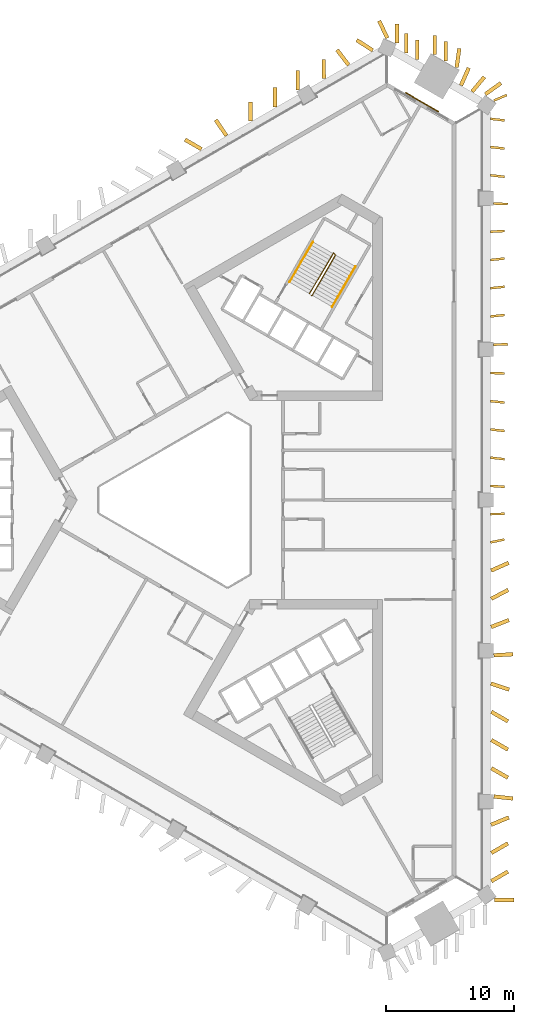
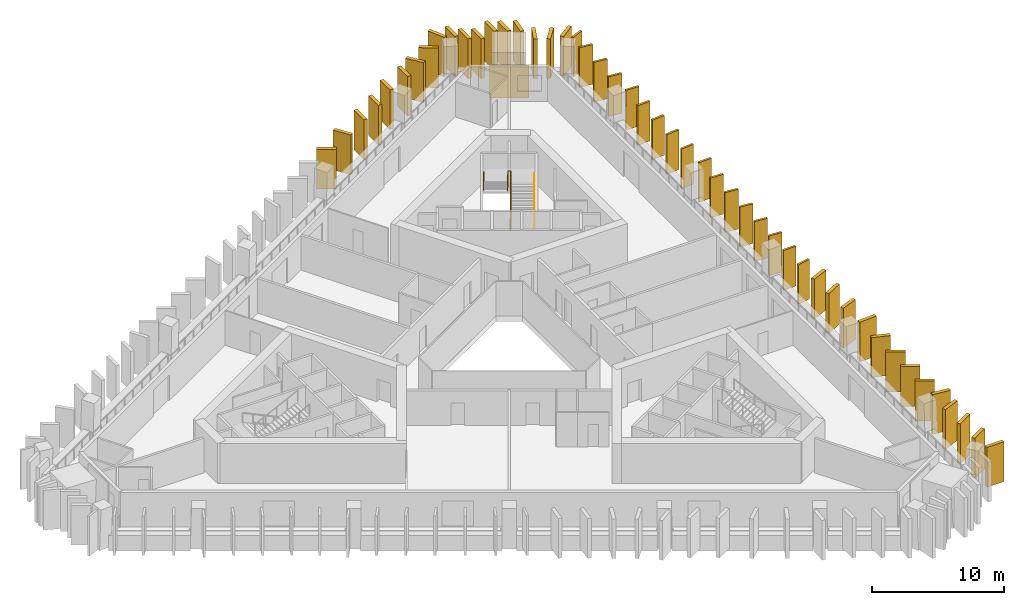
# One storey, part 11 of 11: 48 shading devices, 3 railings, 1 covering.
"""IFC4 building model written with IfcOpenShell, lengths in metres."""

from ifc_helpers import new_model, si_unit, direction, frame, frame_2d, origin, origin_2d, place, context, subcontext, project, spatial, rectangle, circle, extrude, material, layer, layer_set, type_object, element, save


model = new_model("IFC4")

# Units and contexts
model_context = context("Model", 3, precision=1e-05, world=origin(), true_north=direction((0.0, 1.0)))
body_context = subcontext(model_context, "Body", "Model", "MODEL_VIEW")
ifc_project = project(units=[si_unit("LENGTHUNIT", "METRE"), si_unit("AREAUNIT", "SQUARE_METRE"), si_unit("VOLUMEUNIT", "CUBIC_METRE"), si_unit("PLANEANGLEUNIT", "RADIAN"), si_unit("MASSUNIT", "GRAM", prefix="KILO")], contexts=[model_context])

# Site, building, storey
site_placement = place(None, origin())
site = spatial("IfcSite", under=ifc_project, at=site_placement, CompositionType="ELEMENT")
building_placement = place(site_placement, origin())
building = spatial("IfcBuilding", under=site, at=building_placement, Name="Jabali Bay Hotel Tower and Convention Centre", CompositionType="ELEMENT")
storey_placement = place(building_placement, frame((0.0, 0.0, 79.5)))
storey = spatial("IfcBuildingStorey", under=building, at=storey_placement, Name="L18", CompositionType="ELEMENT", Elevation=79.5)

# Shading devices
ifc_material_1 = material(Name="Precast concrete C60", Category="concrete")
ifc_layer_1 = layer(ifc_material_1, 0.179931640625)
ifc_layer_set_1 = layer_set([ifc_layer_1], Name="Precast concrete C60")
shading_device_type_1 = type_object("IfcShadingDeviceType", Name="Precast fin 3680 x 1100", PredefinedType="USERDEFINED", material=ifc_layer_set_1)
shading_device_1_placement = place(storey_placement, frame((98.361328125, 76.68408203125, 0.010009765625), z_axis=(0.0, 0.0, 1.0), x_axis=(0.979296848982, 0.202429448384, 0.0)))
element("IfcShadingDevice", 1, at=shading_device_1_placement, inside=storey, type_object=shading_device_type_1, Name="Fin L18 012", ObjectType="FIN", PredefinedType="USERDEFINED", context=body_context, shape_type="SweptSolid", body=[
    extrude(rectangle(XDim=1.099853515625, YDim=0.179931640625, at=frame_2d((0.5498046875, 0.0))), origin(), (0.0, 0.0, 1.0), 3.679931640625),
])
for number, where, z_axis, x_axis, name in (
    (2, (98.344970703125, 78.894775390625, 0.010009765625), (0.0, 0.0, 1.0), (0.999773026581, 0.021304819212, 0.0), "Fin L18 013"),
    (3, (98.34912109375, 81.105224609375, 0.010009765625), (0.0, 0.0, 1.0), (0.997645538105, -0.068581194944, 0.0), "Fin L18 014"),
    (4, (98.353271484375, 83.31591796875, 0.010009765625), (0.0, 0.0, 1.0), (0.993673547442, -0.112307083986, 0.0), "Fin L18 015"),
):
    element("IfcShadingDevice", number, at=place(storey_placement, frame(where, z_axis=z_axis, x_axis=x_axis)), inside=storey, type_object=shading_device_type_1, Name=name, ObjectType="FIN", PredefinedType="USERDEFINED", context=body_context, shape_type="SweptSolid", body=[
        extrude(rectangle(XDim=1.10009765625, YDim=0.179931640625, at=frame_2d((0.550048828125, 0.0))), origin(), (0.0, 0.0, 1.0), 3.679931640625),
    ])
for number, where, z_axis, x_axis, name in (
    (5, (98.35302734375, 85.5263671875, 0.010009765625), (0.0, 0.0, 1.0), (0.993945834363, -0.109871189819, 0.0), "Fin L18 016"),
    (6, (98.351806640625, 87.737060546875, 0.010009765625), (0.0, 0.0, 1.0), (0.995305974015, -0.096778190158, 0.0), "Fin L18 017"),
):
    element("IfcShadingDevice", number, at=place(storey_placement, frame(where, z_axis=z_axis, x_axis=x_axis)), inside=storey, type_object=shading_device_type_1, Name=name, ObjectType="FIN", PredefinedType="USERDEFINED", context=body_context, shape_type="SweptSolid", body=[
        extrude(rectangle(XDim=1.099853515625, YDim=0.179931640625, at=frame_2d((0.5498046875, 0.0))), origin(), (0.0, 0.0, 1.0), 3.679931640625),
    ])
shading_device_2_placement = place(storey_placement, frame((98.346435546875, 89.947509765625, 0.010009765625), z_axis=(0.0, 0.0, 1.0), x_axis=(0.999288131101, -0.037725734463, 0.0)))
element("IfcShadingDevice", 7, at=shading_device_2_placement, inside=storey, type_object=shading_device_type_1, Name="Fin L18 018", ObjectType="FIN", PredefinedType="USERDEFINED", context=body_context, shape_type="SweptSolid", body=[
    extrude(rectangle(XDim=1.10009765625, YDim=0.179931640625, at=frame_2d((0.550048828125, 0.0))), origin(), (0.0, 0.0, 1.0), 3.679931640625),
])
shading_device_3_placement = place(storey_placement, frame((98.60400390625, 92.158203125, 0.010009765625), z_axis=(0.0, 0.0, 1.0), x_axis=(0.999253944226, 0.038620654441, 0.0)))
element("IfcShadingDevice", 8, at=shading_device_3_placement, inside=storey, type_object=shading_device_type_1, Name="Fin L18 019", ObjectType="FIN", PredefinedType="USERDEFINED", context=body_context, shape_type="SweptSolid", body=[
    extrude(rectangle(XDim=1.099853515625, YDim=0.179931640625, at=frame_2d((0.5498046875, 0.0))), origin(), (0.0, 0.0, 1.0), 3.679931640625),
])
for number, where, z_axis, x_axis, name in (
    (9, (98.3525390625, 94.36865234375, 0.010009765625), (0.0, 0.0, 1.0), (0.994451817499, 0.105193073308, 0.0), "Fin L18 020"),
    (10, (98.3525390625, 96.579345703125, 0.010009765625), (0.0, 0.0, 1.0), (0.994451817499, 0.105193073308, 0.0), "Fin L18 021"),
    (11, (98.3525390625, 98.789794921875, 0.010009765625), (0.0, 0.0, 1.0), (0.994451817499, 0.105193073308, 0.0), "Fin L18 022"),
    (12, (98.347900390625, 101.00048828125, 0.010009765625), (0.0, 0.0, 1.0), (0.99848416118, 0.055039802617, 0.0), "Fin L18 023"),
    (13, (98.6044921875, 103.2109375, 0.010009765625), (0.0, 0.0, 1.0), (0.999072832584, -0.043052005669, 0.0), "Fin L18 024"),
):
    element("IfcShadingDevice", number, at=place(storey_placement, frame(where, z_axis=z_axis, x_axis=x_axis)), inside=storey, type_object=shading_device_type_1, Name=name, ObjectType="FIN", PredefinedType="USERDEFINED", context=body_context, shape_type="SweptSolid", body=[
        extrude(rectangle(XDim=1.10009765625, YDim=0.179931640625, at=frame_2d((0.550048828125, 0.0))), origin(), (0.0, 0.0, 1.0), 3.679931640625),
    ])
shading_device_4_placement = place(storey_placement, frame((98.352783203125, 105.421630859375, 0.010009765625), z_axis=(0.0, 0.0, 1.0), x_axis=(0.994283090359, -0.106776103251, 0.0)))
element("IfcShadingDevice", 14, at=shading_device_4_placement, inside=storey, type_object=shading_device_type_1, Name="Fin L18 025", ObjectType="FIN", PredefinedType="USERDEFINED", context=body_context, shape_type="SweptSolid", body=[
    extrude(rectangle(XDim=1.099853515625, YDim=0.179931640625, at=frame_2d((0.5498046875, 0.0))), origin(), (0.0, 0.0, 1.0), 3.679931640625),
])
for number, where, z_axis, x_axis, name in (
    (15, (98.352783203125, 107.632080078125, 0.010009765625), (0.0, 0.0, 1.0), (0.994069067808, -0.108750578974, 0.0), "Fin L18 026"),
    (16, (98.353271484375, 109.8427734375, 0.010009765625), (0.0, 0.0, 1.0), (0.993420594929, -0.114523017646, 0.0), "Fin L18 027"),
):
    element("IfcShadingDevice", number, at=place(storey_placement, frame(where, z_axis=z_axis, x_axis=x_axis)), inside=storey, type_object=shading_device_type_1, Name=name, ObjectType="FIN", PredefinedType="USERDEFINED", context=body_context, shape_type="SweptSolid", body=[
        extrude(rectangle(XDim=1.10009765625, YDim=0.179931640625, at=frame_2d((0.550048828125, 0.0))), origin(), (0.0, 0.0, 1.0), 3.679931640625),
    ])
shading_device_5_placement = place(storey_placement, frame((98.61181640625, 111.27197265625, 0.010009765625), z_axis=(0.0, 0.0, 1.0), x_axis=(0.919786713629, 0.392418655815, 0.0)))
element("IfcShadingDevice", 17, at=shading_device_5_placement, inside=storey, type_object=shading_device_type_1, Name="Fin L18 112", ObjectType="FIN", PredefinedType="USERDEFINED", context=body_context, shape_type="SweptSolid", body=[
    extrude(rectangle(XDim=1.099853515625, YDim=0.179931640625, at=frame_2d((0.5498046875, 0.0))), origin(), (0.0, 0.0, 1.0), 3.679931640625),
])
ifc_layer_2 = layer(ifc_material_1, 0.300048828125)
ifc_layer_set_2 = layer_set([ifc_layer_2], Name="Precast concrete C60")
shading_device_type_2 = type_object("IfcShadingDeviceType", Name="Precast fin 3680 x 1500", PredefinedType="USERDEFINED", material=ifc_layer_set_2)
for number, where, z_axis, x_axis, name in (
    (18, (98.41796875, 50.1572265625, 0.010009765625), (0.0, 0.0, 1.0), (0.866031096941, 0.499990139034, 0.0), "Fin L18 000"),
    (19, (98.41796875, 52.367919921875, 0.010009765625), (0.0, 0.0, 1.0), (0.866031096941, 0.499990139034, 0.0), "Fin L18 001"),
    (20, (98.39990234375, 54.578369140625, 0.010009765625), (0.0, 0.0, 1.0), (0.925300457224, 0.379234839988, 0.0), "Fin L18 002"),
    (21, (98.616455078125, 56.7890625, 0.010009765625), (0.0, 0.0, 1.0), (0.994335600857, -0.106285995639, 0.0), "Fin L18 003"),
    (22, (98.417236328125, 58.99951171875, 0.010009765625), (0.0, 0.0, 1.0), (0.868753463067, -0.495244808564, 0.0), "Fin L18 004"),
    (23, (98.41796875, 61.210205078125, 0.010009765625), (0.0, 0.0, 1.0), (0.866031096941, -0.499990139034, 0.0), "Fin L18 005"),
    (24, (98.41796875, 63.420654296875, 0.010009765625), (0.0, 0.0, 1.0), (0.866142231622, -0.499797593632, 0.0), "Fin L18 006"),
    (25, (98.390869140625, 65.63134765625, 0.010009765625), (0.0, 0.0, 1.0), (0.947702265569, -0.319155786155, 0.0), "Fin L18 007"),
):
    element("IfcShadingDevice", number, at=place(storey_placement, frame(where, z_axis=z_axis, x_axis=x_axis)), inside=storey, type_object=shading_device_type_2, Name=name, ObjectType="FIN", PredefinedType="USERDEFINED", context=body_context, shape_type="SweptSolid", body=[
        extrude(rectangle(XDim=1.5, YDim=0.300048828125, at=frame_2d((0.75, 0.0))), origin(), (0.0, 0.0, 1.0), 3.679931640625),
    ])
for number, where, z_axis, x_axis, name in (
    (26, (98.60888671875, 67.841796875, 0.010009765625), (0.0, 0.0, 1.0), (0.998476338837, 0.055181525736, 0.0), "Fin L18 008"),
    (27, (98.398681640625, 70.052490234375, 0.010009765625), (0.0, 0.0, 1.0), (0.928969814494, 0.370155485923, 0.0), "Fin L18 009"),
):
    element("IfcShadingDevice", number, at=place(storey_placement, frame(where, z_axis=z_axis, x_axis=x_axis)), inside=storey, type_object=shading_device_type_2, Name=name, ObjectType="FIN", PredefinedType="USERDEFINED", context=body_context, shape_type="SweptSolid", body=[
        extrude(rectangle(XDim=1.499755859375, YDim=0.300048828125, at=frame_2d((0.75, 0.0))), origin(), (0.0, 0.0, 1.0), 3.679931640625),
    ])
for number, where, z_axis, x_axis, name in (
    (28, (98.413330078125, 72.262939453125, 0.010009765625), (0.0, 0.0, 1.0), (0.883665150392, 0.468119538134, 0.0), "Fin L18 010"),
    (29, (98.40380859375, 74.4736328125, 0.010009765625), (0.0, 0.0, 1.0), (0.914615220623, 0.404325361813, 0.0), "Fin L18 011"),
    (30, (97.94775390625, 111.76708984375, 0.010009765625), (0.0, 0.0, 1.0), (0.813502455784, 0.581561479495, 0.0), "Fin L18 028"),
    (31, (96.9111328125, 111.966796875, 0.010009765625), (0.0, 0.0, 1.0), (0.641128482204, 0.767433560191, 0.0), "Fin L18 029"),
    (32, (96.04248046875, 112.45703125, 0.010009765625), (0.0, 0.0, 1.0), (0.405594746475, 0.914053008108, 0.0), "Fin L18 030"),
):
    element("IfcShadingDevice", number, at=place(storey_placement, frame(where, z_axis=z_axis, x_axis=x_axis)), inside=storey, type_object=shading_device_type_2, Name=name, ObjectType="FIN", PredefinedType="USERDEFINED", context=body_context, shape_type="SweptSolid", body=[
        extrude(rectangle(XDim=1.5, YDim=0.300048828125, at=frame_2d((0.75, 0.0))), origin(), (0.0, 0.0, 1.0), 3.679931640625),
    ])
shading_device_6_placement = place(storey_placement, frame((95.705078125, 113.867431640625, 0.010009765625), z_axis=(0.0, 0.0, 1.0), x_axis=(0.13868615997, 0.990336381758, 0.0)))
element("IfcShadingDevice", 33, at=shading_device_6_placement, inside=storey, type_object=shading_device_type_2, Name="Fin L18 031", ObjectType="FIN", PredefinedType="USERDEFINED", context=body_context, shape_type="SweptSolid", body=[
    extrude(rectangle(XDim=1.499755859375, YDim=0.300048828125, at=frame_2d((0.75, 0.0))), origin(), (0.0, 0.0, 1.0), 3.679931640625),
])
for number, where, z_axis, x_axis, name in (
    (34, (94.8505859375, 114.38232421875, 0.010009765625), (0.0, 0.0, 1.0), (0.0, 1.0, 0.0), "Fin L18 032"),
    (35, (93.98681640625, 114.881103515625, 0.010009765625), (0.0, 0.0, 1.0), (0.0, 1.0, 0.0), "Fin L18 033"),
    (36, (92.616943359375, 114.5029296875, 0.010009765625), (0.0, 0.0, 1.0), (0.0, 1.0, 0.0), "Fin L18 034"),
    (37, (91.7529296875, 115.001708984375, 0.010009765625), (0.0, 0.0, 1.0), (0.0, 1.0, 0.0), "Fin L18 035"),
    (38, (91.044189453125, 115.768798828125, 0.010009765625), (0.0, 0.0, 1.0), (0.0, 1.0, 0.0), "Fin L18 036"),
    (39, (89.138671875, 115.196533203125, 0.010009765625), (0.0, 0.0, 1.0), (-0.841442778075, 0.540346232729, 0.0), "Fin L18 037"),
    (40, (87.2490234375, 114.04833984375, 0.010009765625), (0.0, 0.0, 1.0), (-0.606749102537, 0.794893405791, 0.0), "Fin L18 038"),
    (41, (85.306884765625, 112.990966796875, 0.010009765625), (0.0, 0.0, 1.0), (-0.003743463354, 0.999992993217, 0.0), "Fin L18 039"),
    (42, (83.263671875, 112.109130859375, 0.010009765625), (0.0, 0.0, 1.0), (-0.001139322177, 0.999999350972, 0.0), "Fin L18 040"),
    (43, (81.47802734375, 110.78076171875, 0.010009765625), (0.0, 0.0, 1.0), (-0.000325520816, 0.999999947018, 0.0), "Fin L18 041"),
    (44, (79.5634765625, 109.675537109375, 0.010009765625), (0.0, 0.0, 1.0), (0.0, 1.0, 0.0), "Fin L18 042"),
    (45, (77.681396484375, 108.514404296875, 0.010009765625), (0.0, 0.0, 1.0), (-0.558600379479, 0.829436927105, 0.0), "Fin L18 043"),
    (46, (75.734619140625, 107.465087890625, 0.010009765625), (0.0, 0.0, 1.0), (-0.866031096941, 0.499990139034, 0.0), "Fin L18 044"),
    (47, (98.682373046875, 48.687255859375, 0.010009765625), (0.0, 0.0, 1.0), (1.0, 0.0, 0.0), "Fin L18 111"),
):
    element("IfcShadingDevice", number, at=place(storey_placement, frame(where, z_axis=z_axis, x_axis=x_axis)), inside=storey, type_object=shading_device_type_2, Name=name, ObjectType="FIN", PredefinedType="USERDEFINED", context=body_context, shape_type="SweptSolid", body=[
        extrude(rectangle(XDim=1.5, YDim=0.300048828125, at=frame_2d((0.75, 0.0))), origin(), (0.0, 0.0, 1.0), 3.679931640625),
    ])
shading_device_7_placement = place(storey_placement, frame((90.2763671875, 116.15771484375, 0.010009765625), z_axis=(0.0, 0.0, 1.0), x_axis=(-0.427771449485, 0.903886932645, 0.0)))
element("IfcShadingDevice", 48, at=shading_device_7_placement, inside=storey, type_object=shading_device_type_2, Name="Fin L18 113", ObjectType="FIN", PredefinedType="USERDEFINED", context=body_context, shape_type="SweptSolid", body=[
    extrude(rectangle(XDim=1.499755859375, YDim=0.300048828125, at=frame_2d((0.75, 0.0))), origin(), (0.0, 0.0, 1.0), 3.679931640625),
])

# Covering
ifc_material_2 = material(Name="Precast concrete C40/50", Category="concrete")
ifc_layer_3 = layer(ifc_material_2, 0.080078125)
ifc_layer_set_3 = layer_set([ifc_layer_3], Name="Precast concrete C40/50")
covering_type = type_object("IfcCoveringType", Name="Relief panel 3000 x 3000", PredefinedType="CLADDING", material=ifc_layer_set_3)
covering_placement = place(storey_placement, frame((92.983642578125, 111.1484375, 0.10009765625), z_axis=(0.0, 0.0, 1.0), x_axis=(0.866025360727, -0.500000074577, 0.0)))
element("IfcCovering", 49, at=covering_placement, inside=storey, type_object=covering_type, Name="Relief panel L18", PredefinedType="CLADDING", context=body_context, shape_type="SweptSolid", body=[
    extrude(rectangle(XDim=3.0, YDim=0.080078125, at=origin_2d()), origin(), (0.0, 0.0, 1.0), 3.0),
])

# Railings
ifc_material_3 = material(Name="Steel Q355B", Category="steel")
railing_type_1 = type_object("IfcRailingType", Name="Stair guard 1100", PredefinedType="GUARDRAIL", material=ifc_material_3)
railing_1_placement = place(storey_placement, frame((84.329833984375, 96.010009765625, 0.0)))
element("IfcRailing", 50, at=railing_1_placement, inside=storey, type_object=railing_type_1, Name="L18 ST2 stair guard 1", PredefinedType="GUARDRAIL", context=body_context, shape_type="SweptSolid", body=[
    extrude(circle(Radius=0.02392578125, at=origin_2d()), frame((0.0, 0.0, 1.076171875), z_axis=(0.456201556387, 0.122196845461, 0.881446578591), x_axis=(-0.258736085224, 0.965948051503, 0.0)), (0.0, 0.0, 1.0), 0.14990234375),
    extrude(circle(Radius=0.02392578125, at=origin_2d()), frame((0.068359375, 0.018310546875, 1.2080078125), z_axis=(0.45217862506, 0.783169739339, 0.426825081763), x_axis=(-0.866018046521, 0.500012742938, 0.0)), (0.0, 0.0, 1.0), 4.025146484375),
    extrude(circle(Radius=0.02392578125, at=origin_2d()), frame((1.888427734375, 3.170654296875, 2.92626953125), z_axis=(-0.718850276695, 0.695164929852, 0.0), x_axis=(-0.695164929852, -0.718850276695, 0.0)), (0.0, 0.0, 1.0), 0.2060546875),
    extrude(circle(Radius=0.02392578125, at=origin_2d()), frame((1.740234375, 3.31396484375, 2.92626953125), z_axis=(-0.457457462341, -0.768067235091, 0.448113147015), x_axis=(0.859157857954, -0.511710636118, 0.0)), (0.0, 0.0, 1.0), 4.128173828125),
    extrude(circle(Radius=0.02099609375, at=origin_2d()), origin(), (0.0, 0.0, 1.0), 1.052001953125),
    extrude(circle(Radius=0.02099609375, at=origin_2d()), frame((0.068359375, 0.018310546875, 0.132080078125)), (0.0, 0.0, 1.0), 1.052001953125),
    extrude(circle(Radius=0.02099609375, at=origin_2d()), frame((0.5234375, 0.806396484375, 0.5615234375)), (0.0, 0.0, 1.0), 1.052001953125),
    extrude(circle(Radius=0.02099609375, at=origin_2d()), frame((0.978515625, 1.594482421875, 0.9912109375)), (0.0, 0.0, 1.0), 1.052001953125),
    extrude(circle(Radius=0.02099609375, at=origin_2d()), frame((1.433349609375, 2.382568359375, 1.420654296875)), (0.0, 0.0, 1.0), 1.052001953125),
    extrude(circle(Radius=0.02099609375, at=origin_2d()), frame((1.888427734375, 3.170654296875, 1.85009765625)), (0.0, 0.0, 1.0), 1.052001953125),
    extrude(circle(Radius=0.02099609375, at=origin_2d()), frame((1.740234375, 3.31396484375, 1.85009765625)), (0.0, 0.0, 1.0), 1.052001953125),
    extrude(circle(Radius=0.02099609375, at=origin_2d()), frame((1.26806640625, 2.521240234375, 2.3125)), (0.0, 0.0, 1.0), 1.052001953125),
    extrude(circle(Radius=0.02099609375, at=origin_2d()), frame((0.7958984375, 1.728515625, 2.77490234375)), (0.0, 0.0, 1.0), 1.052001953125),
    extrude(circle(Radius=0.02099609375, at=origin_2d()), frame((0.323974609375, 0.93603515625, 3.237548828125)), (0.0, 0.0, 1.0), 1.052001953125),
    extrude(circle(Radius=0.02099609375, at=origin_2d()), frame((-0.148193359375, 0.143310546875, 3.699951171875)), (0.0, 0.0, 1.0), 1.052001953125),
])
railing_type_2 = type_object("IfcRailingType", Name="Stair handrail 900", PredefinedType="HANDRAIL", material=ifc_material_3)
railing_2_placement = place(storey_placement, frame((85.95703125, 95.128173828125, 0.132080078125)))
element("IfcRailing", 51, at=railing_2_placement, inside=storey, type_object=railing_type_2, Name="L18 ST2 stair handrail 1", PredefinedType="HANDRAIL", context=body_context, shape_type="SweptSolid", body=[
    extrude(circle(Radius=0.02392578125, at=origin_2d()), frame((0.0, 0.0, 0.8759765625), z_axis=(0.45217862506, 0.783169739339, 0.426825081763), x_axis=(-0.866018046521, 0.500012742938, 0.0)), (0.0, 0.0, 1.0), 4.025146484375),
    extrude(circle(Radius=0.02099609375, at=origin_2d()), origin(), (0.0, 0.0, 1.0), 0.851806640625),
    extrude(circle(Radius=0.02099609375, at=origin_2d()), frame((0.455078125, 0.7880859375, 0.429443359375)), (0.0, 0.0, 1.0), 0.851806640625),
    extrude(circle(Radius=0.02099609375, at=origin_2d()), frame((0.91015625, 1.576171875, 0.85888671875)), (0.0, 0.0, 1.0), 0.851806640625),
    extrude(circle(Radius=0.02099609375, at=origin_2d()), frame((1.364990234375, 2.3642578125, 1.28857421875)), (0.0, 0.0, 1.0), 0.851806640625),
    extrude(circle(Radius=0.02099609375, at=origin_2d()), frame((1.820068359375, 3.15234375, 1.718017578125)), (0.0, 0.0, 1.0), 0.851806640625),
])
railing_3_placement = place(storey_placement, frame((84.44287109375, 100.20556640625, 1.982177734375)))
element("IfcRailing", 52, at=railing_3_placement, inside=storey, type_object=railing_type_2, Name="L18 ST2 stair handrail 2", PredefinedType="HANDRAIL", context=body_context, shape_type="SweptSolid", body=[
    extrude(circle(Radius=0.02392578125, at=origin_2d()), frame((0.0, 0.0, 0.8759765625), z_axis=(-0.452190331055, -0.783190014029, 0.426775475427), x_axis=(0.866018046521, -0.500012742938, 0.0)), (0.0, 0.0, 1.0), 4.02490234375),
    extrude(circle(Radius=0.02099609375, at=origin_2d()), origin(), (0.0, 0.0, 1.0), 0.851806640625),
    extrude(circle(Radius=0.02099609375, at=origin_2d()), frame((-0.455078125, -0.7880859375, 0.429443359375)), (0.0, 0.0, 1.0), 0.851806640625),
    extrude(circle(Radius=0.02099609375, at=origin_2d()), frame((-0.91015625, -1.576171875, 0.85888671875)), (0.0, 0.0, 1.0), 0.851806640625),
    extrude(circle(Radius=0.02099609375, at=origin_2d()), frame((-1.364990234375, -2.3642578125, 1.288330078125)), (0.0, 0.0, 1.0), 0.851806640625),
    extrude(circle(Radius=0.02099609375, at=origin_2d()), frame((-1.820068359375, -3.15234375, 1.7177734375)), (0.0, 0.0, 1.0), 0.851806640625),
])

save(model, "model.ifc")
